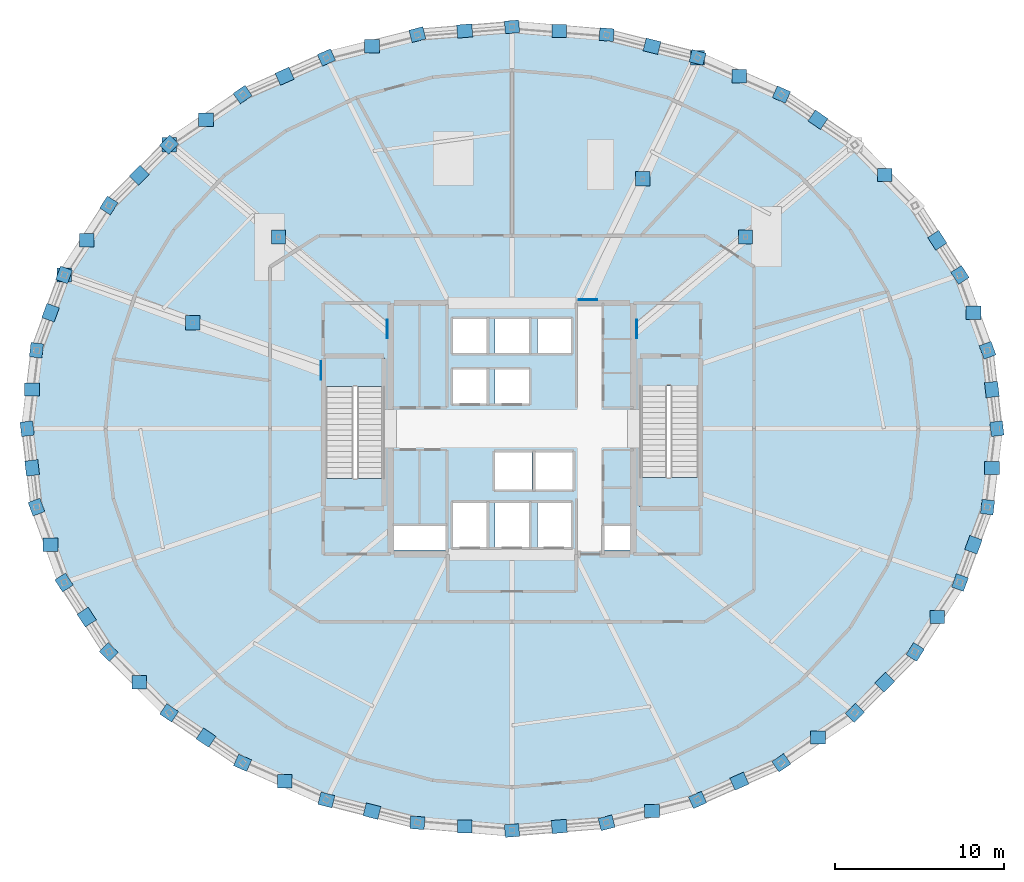
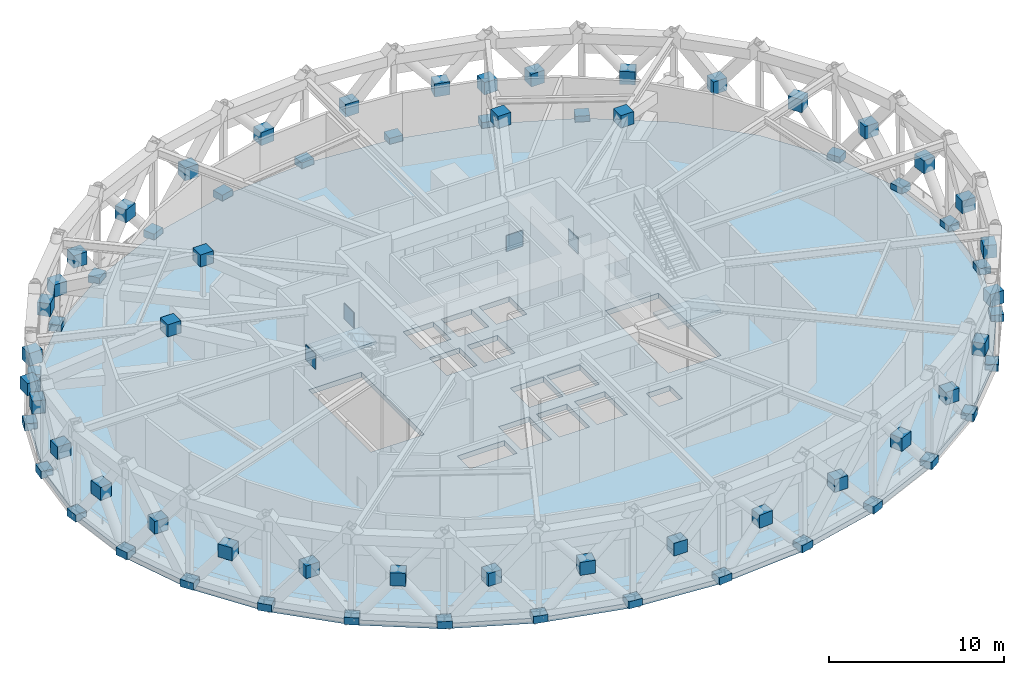
# One storey, part 7 of 15: 73 plates, 3 slabs, 2 elements without a shape of their own.
"""IFC4 building model written with IfcOpenShell, lengths in metres."""

from ifc_helpers import new_model, si_unit, direction, frame, origin, origin_2d, place, context, subcontext, project, spatial, polyline, rectangle, outline, extrude, material, layer, layer_set, type_object, element, aggregate, save


model = new_model("IFC4")

# Units and contexts
model_context = context("Model", 3, precision=1e-05, world=origin(), true_north=direction((0.0, 1.0)))
body_context = subcontext(model_context, "Body", "Model", "MODEL_VIEW")
ifc_project = project(units=[si_unit("LENGTHUNIT", "METRE"), si_unit("AREAUNIT", "SQUARE_METRE"), si_unit("VOLUMEUNIT", "CUBIC_METRE"), si_unit("PLANEANGLEUNIT", "RADIAN"), si_unit("MASSUNIT", "GRAM", prefix="KILO")], contexts=[model_context])

# Site, building, storey
site_placement = place(None, origin())
site = spatial("IfcSite", under=ifc_project, at=site_placement, CompositionType="ELEMENT")
building_placement = place(site_placement, origin())
building = spatial("IfcBuilding", under=site, at=building_placement, Name="Veldorina Hangang Commons", CompositionType="ELEMENT")
storey_placement = place(building_placement, frame((0.0, 0.0, 110.800048828125)))
storey = spatial("IfcBuildingStorey", under=building, at=storey_placement, Name="L28", CompositionType="ELEMENT", Elevation=110.800048828125)

# Plates
ifc_material_1 = material(Name="Steel SM490-TMC", Category="steel")
ifc_layer_1 = layer(ifc_material_1, 0.044921875)
ifc_layer_set_1 = layer_set([ifc_layer_1], Name="Steel SM490-TMC")
plate_type_1 = type_object("IfcPlateType", Name="PL-NODE-45", PredefinedType="SHEET", material=ifc_layer_set_1)
plate_1_placement = place(storey_placement, frame((39.389892578125, 29.89990234375, 2.2998046875), z_axis=(0.0, 0.0, 1.0), x_axis=(1.0, 0.0, 0.0)))
element("IfcPlate", 1, at=plate_1_placement, inside=storey, type_object=plate_type_1, Name="L28 outrigger cast-in wall embed plate 01", PredefinedType="SHEET", context=body_context, shape_type="SweptSolid", body=[
    extrude(rectangle(XDim=0.044921875, YDim=1.10009765625, at=origin_2d()), origin(), (0.0, 0.0, 1.0), 1.10009765625),
])
plate_2_placement = place(storey_placement, frame((45.841796875, 35.367919921875, 5.574951171875), z_axis=(0.0, 0.0, 1.0), x_axis=(1.0, 0.0, 0.0)))
element("IfcPlate", 2, at=plate_2_placement, inside=storey, type_object=plate_type_1, Name="L28 outrigger node plate 01-MD", PredefinedType="SHEET", context=body_context, shape_type="SweptSolid", body=[
    extrude(rectangle(XDim=0.85009765625, YDim=0.85009765625, at=origin_2d()), origin(), (0.0, 0.0, 1.0), 0.85009765625),
])
plate_3_placement = place(storey_placement, frame((36.5, 31.639892578125, 2.2998046875), z_axis=(0.0, 0.0, 1.0), x_axis=(1.0, 0.0, 0.0)))
element("IfcPlate", 3, at=plate_3_placement, inside=storey, type_object=plate_type_1, Name="L28 outrigger cast-in wall embed plate 02", PredefinedType="SHEET", context=body_context, shape_type="SweptSolid", body=[
    extrude(rectangle(XDim=1.10009765625, YDim=0.044921875, at=origin_2d()), origin(), (0.0, 0.0, 1.0), 1.10009765625),
])
for number, where, z_axis, x_axis, name in (
    (4, (39.746826171875, 38.80859375, 5.574951171875), (0.0, 0.0, 1.0), (1.0, 0.0, 0.0), "L28 outrigger node plate 02-MD"),
    (5, (42.99365234375, 45.997314453125, 2.4248046875), (0.0, 0.0, 1.0), (1.0, 0.0, 0.0), "L28 outrigger node plate 02-OT"),
):
    element("IfcPlate", number, at=place(storey_placement, frame(where, z_axis=z_axis, x_axis=x_axis)), inside=storey, type_object=plate_type_1, Name=name, PredefinedType="SHEET", context=body_context, shape_type="SweptSolid", body=[
        extrude(rectangle(XDim=0.85009765625, YDim=0.85009765625, at=origin_2d()), origin(), (0.0, 0.0, 1.0), 0.85009765625),
    ])
plate_4_placement = place(storey_placement, frame((24.610107421875, 29.89990234375, 2.2998046875), z_axis=(0.0, 0.0, 1.0), x_axis=(1.0, 0.0, 0.0)))
element("IfcPlate", 6, at=plate_4_placement, inside=storey, type_object=plate_type_1, Name="L28 outrigger cast-in wall embed plate 03", PredefinedType="SHEET", context=body_context, shape_type="SweptSolid", body=[
    extrude(rectangle(XDim=0.044921875, YDim=1.10009765625, at=origin_2d()), origin(), (0.0, 0.0, 1.0), 1.10009765625),
])
for number, where, z_axis, x_axis, name in (
    (7, (18.158203125, 35.367919921875, 5.574951171875), (0.0, 0.0, 1.0), (1.0, 0.0, 0.0), "L28 outrigger node plate 03-MD"),
    (8, (11.686279296875, 40.8359375, 2.4248046875), (0.0, 0.0, 1.0), (1.0, 0.0, 0.0), "L28 outrigger node plate 03-OT"),
):
    element("IfcPlate", number, at=place(storey_placement, frame(where, z_axis=z_axis, x_axis=x_axis)), inside=storey, type_object=plate_type_1, Name=name, PredefinedType="SHEET", context=body_context, shape_type="SweptSolid", body=[
        extrude(rectangle(XDim=0.85009765625, YDim=0.85009765625, at=origin_2d()), origin(), (0.0, 0.0, 1.0), 0.85009765625),
    ])
plate_5_placement = place(storey_placement, frame((20.669921875, 27.449951171875, 2.2998046875), z_axis=(0.0, 0.0, 1.0), x_axis=(1.0, 0.0, 0.0)))
element("IfcPlate", 9, at=plate_5_placement, inside=storey, type_object=plate_type_1, Name="L28 outrigger cast-in wall embed plate 04", PredefinedType="SHEET", context=body_context, shape_type="SweptSolid", body=[
    extrude(rectangle(XDim=0.044921875, YDim=1.10009765625, at=origin_2d()), origin(), (0.0, 0.0, 1.0), 1.10009765625),
])
for number, where, z_axis, x_axis, name in (
    (10, (13.074462890625, 30.28076171875, 5.574951171875), (0.0, 0.0, 1.0), (1.0, 0.0, 0.0), "L28 outrigger node plate 04-MD"),
    (11, (5.458740234375, 33.111572265625, 2.4248046875), (0.0, 0.0, 1.0), (1.0, 0.0, 0.0), "L28 outrigger node plate 04-OT"),
):
    element("IfcPlate", number, at=place(storey_placement, frame(where, z_axis=z_axis, x_axis=x_axis)), inside=storey, type_object=plate_type_1, Name=name, PredefinedType="SHEET", context=body_context, shape_type="SweptSolid", body=[
        extrude(rectangle(XDim=0.85009765625, YDim=0.85009765625, at=origin_2d()), origin(), (0.0, 0.0, 1.0), 0.85009765625),
    ])
ifc_material_2 = material(Name="Steel SM460-TMC", Category="steel")
ifc_layer_2 = layer(ifc_material_2, 0.035888671875)
ifc_layer_set_2 = layer_set([ifc_layer_2], Name="Steel SM460-TMC")
plate_type_2 = type_object("IfcPlateType", Name="PL-STAR-36", PredefinedType="USERDEFINED", material=ifc_layer_set_2)
plate_6_placement = place(storey_placement, frame((60.7451171875, 24.0, -0.090087890625), z_axis=(0.0, 0.0, 1.0), x_axis=(-0.118005356875, 0.9930129585, 0.0)))
element("IfcPlate", 12, at=plate_6_placement, inside=storey, type_object=plate_type_2, Name="L28 diagrid star-node gusset plate 00", ObjectType="GUSSET PLATE", PredefinedType="USERDEFINED", context=body_context, shape_type="SweptSolid", body=[
    extrude(rectangle(XDim=0.85009765625, YDim=0.75, at=origin_2d()), origin(), (0.0, 0.0, 1.0), 0.5),
])
plate_7_placement = place(storey_placement, frame((60.449951171875, 26.322509765625, 2.751708984375), z_axis=(0.0, 0.0, 1.0), x_axis=(-0.118005356875, 0.9930129585, 0.0)))
element("IfcPlate", 13, at=plate_7_placement, inside=storey, type_object=plate_type_2, Name="L28 diagrid X-crossing star-node gusset plate 00", ObjectType="GUSSET PLATE", PredefinedType="USERDEFINED", context=body_context, shape_type="SweptSolid", body=[
    extrude(rectangle(XDim=0.89990234375, YDim=0.780029296875, at=origin_2d()), origin(), (0.0, 0.0, 1.0), 0.89990234375),
])
for number, where, z_axis, x_axis, name in (
    (14, (60.19287109375, 28.6474609375, -0.090087890625), (0.0, 0.0, 1.0), (-0.343758034421, 0.939058258987, 0.0), "L28 diagrid star-node gusset plate 01"),
    (15, (58.55712890625, 33.1162109375, -0.090087890625), (0.0, 0.0, 1.0), (-0.542016257641, 0.840368000612, 0.0), "L28 diagrid star-node gusset plate 02"),
):
    element("IfcPlate", number, at=place(storey_placement, frame(where, z_axis=z_axis, x_axis=x_axis)), inside=storey, type_object=plate_type_2, Name=name, ObjectType="GUSSET PLATE", PredefinedType="USERDEFINED", context=body_context, shape_type="SweptSolid", body=[
        extrude(rectangle(XDim=0.85009765625, YDim=0.75, at=origin_2d()), origin(), (0.0, 0.0, 1.0), 0.5),
    ])
for number, where, z_axis, x_axis, name in (
    (16, (57.2119140625, 35.169189453125, 2.751953125), (0.0, 0.0, 1.0), (-0.542016257641, 0.840368000612, 0.0), "L28 diagrid X-crossing star-node gusset plate 02"),
    (17, (50.1357421875, 42.3154296875, 2.751953125), (0.0, 0.0, 1.0), (-0.826884319778, 0.562372049186, 0.0), "L28 diagrid X-crossing star-node gusset plate 04"),
):
    element("IfcPlate", number, at=place(storey_placement, frame(where, z_axis=z_axis, x_axis=x_axis)), inside=storey, type_object=plate_type_2, Name=name, ObjectType="GUSSET PLATE", PredefinedType="USERDEFINED", context=body_context, shape_type="SweptSolid", body=[
        extrude(rectangle(XDim=0.89990234375, YDim=0.780029296875, at=origin_2d()), origin(), (0.0, 0.0, 1.0), 0.89990234375),
    ])
for number, where, z_axis, x_axis, name in (
    (18, (47.969970703125, 43.806884765625, -0.090087890625), (0.0, 0.0, 1.0), (-0.914310514759, 0.405013928897, 0.0), "L28 diagrid star-node gusset plate 05"),
    (19, (43.000244140625, 46.00830078125, -0.090087890625), (0.0, 0.0, 1.0), (-0.969825226686, 0.243801209355, 0.0), "L28 diagrid star-node gusset plate 06"),
):
    element("IfcPlate", number, at=place(storey_placement, frame(where, z_axis=z_axis, x_axis=x_axis)), inside=storey, type_object=plate_type_2, Name=name, ObjectType="GUSSET PLATE", PredefinedType="USERDEFINED", context=body_context, shape_type="SweptSolid", body=[
        extrude(rectangle(XDim=0.85009765625, YDim=0.75, at=origin_2d()), origin(), (0.0, 0.0, 1.0), 0.5),
    ])
plate_8_placement = place(storey_placement, frame((40.298583984375, 46.67333984375, 2.752197265625), z_axis=(0.0, 0.0, 1.0), x_axis=(-0.969825226686, 0.243801209355, 0.0)))
element("IfcPlate", 20, at=plate_8_placement, inside=storey, type_object=plate_type_2, Name="L28 diagrid X-crossing star-node gusset plate 06", ObjectType="GUSSET PLATE", PredefinedType="USERDEFINED", context=body_context, shape_type="SweptSolid", body=[
    extrude(rectangle(XDim=0.89990234375, YDim=0.780029296875, at=origin_2d()), origin(), (0.0, 0.0, 1.0), 0.89990234375),
])
for number, where, z_axis, x_axis, name in (
    (21, (37.60791015625, 47.364013671875, -0.090087890625), (0.0, 0.0, 1.0), (-0.996685834628, 0.081347077707, 0.0), "L28 diagrid star-node gusset plate 07"),
    (22, (32.0, 47.821533203125, -0.090087890625), (0.0, 0.0, 1.0), (-0.996685834628, -0.081347077707, 0.0), "L28 diagrid star-node gusset plate 08"),
):
    element("IfcPlate", number, at=place(storey_placement, frame(where, z_axis=z_axis, x_axis=x_axis)), inside=storey, type_object=plate_type_2, Name=name, ObjectType="GUSSET PLATE", PredefinedType="USERDEFINED", context=body_context, shape_type="SweptSolid", body=[
        extrude(rectangle(XDim=0.85009765625, YDim=0.75, at=origin_2d()), origin(), (0.0, 0.0, 1.0), 0.5),
    ])
plate_9_placement = place(storey_placement, frame((29.197998046875, 47.579345703125, 2.752197265625), z_axis=(0.0, 0.0, 1.0), x_axis=(-0.996685834628, -0.081347077707, 0.0)))
element("IfcPlate", 23, at=plate_9_placement, inside=storey, type_object=plate_type_2, Name="L28 diagrid X-crossing star-node gusset plate 08", ObjectType="GUSSET PLATE", PredefinedType="USERDEFINED", context=body_context, shape_type="SweptSolid", body=[
    extrude(rectangle(XDim=0.89990234375, YDim=0.780029296875, at=origin_2d()), origin(), (0.0, 0.0, 1.0), 0.89990234375),
])
for number, where, z_axis, x_axis, name in (
    (24, (26.39208984375, 47.364013671875, -0.090087890625), (0.0, 0.0, 1.0), (-0.969825226686, -0.243801209355, 0.0), "L28 diagrid star-node gusset plate 09"),
    (25, (20.999755859375, 46.00830078125, -0.090087890625), (0.0, 0.0, 1.0), (-0.914310514759, -0.405013928897, 0.0), "L28 diagrid star-node gusset plate 10"),
):
    element("IfcPlate", number, at=place(storey_placement, frame(where, z_axis=z_axis, x_axis=x_axis)), inside=storey, type_object=plate_type_2, Name=name, ObjectType="GUSSET PLATE", PredefinedType="USERDEFINED", context=body_context, shape_type="SweptSolid", body=[
        extrude(rectangle(XDim=0.85009765625, YDim=0.75, at=origin_2d()), origin(), (0.0, 0.0, 1.0), 0.5),
    ])
plate_10_placement = place(storey_placement, frame((18.52392578125, 44.895751953125, 2.752197265625), z_axis=(0.0, 0.0, 1.0), x_axis=(-0.914310514759, -0.405013928897, 0.0)))
element("IfcPlate", 26, at=plate_10_placement, inside=storey, type_object=plate_type_2, Name="L28 diagrid X-crossing star-node gusset plate 10", ObjectType="GUSSET PLATE", PredefinedType="USERDEFINED", context=body_context, shape_type="SweptSolid", body=[
    extrude(rectangle(XDim=0.89990234375, YDim=0.780029296875, at=origin_2d()), origin(), (0.0, 0.0, 1.0), 0.89990234375),
])
for number, where, z_axis, x_axis, name in (
    (27, (16.030029296875, 43.806884765625, -0.090087890625), (0.0, 0.0, 1.0), (-0.826884319778, -0.562372049186, 0.0), "L28 diagrid star-node gusset plate 11"),
    (28, (11.674072265625, 40.844482421875, -0.090087890625), (0.0, 0.0, 1.0), (-0.703667578356, -0.710529337304, 0.0), "L28 diagrid star-node gusset plate 12"),
):
    element("IfcPlate", number, at=place(storey_placement, frame(where, z_axis=z_axis, x_axis=x_axis)), inside=storey, type_object=plate_type_2, Name=name, ObjectType="GUSSET PLATE", PredefinedType="USERDEFINED", context=body_context, shape_type="SweptSolid", body=[
        extrude(rectangle(XDim=0.85009765625, YDim=0.75, at=origin_2d()), origin(), (0.0, 0.0, 1.0), 0.5),
    ])
plate_11_placement = place(storey_placement, frame((9.901611328125, 39.031005859375, 2.751953125), z_axis=(0.0, 0.0, 1.0), x_axis=(-0.703667578356, -0.710529337304, 0.0)))
element("IfcPlate", 29, at=plate_11_placement, inside=storey, type_object=plate_type_2, Name="L28 diagrid X-crossing star-node gusset plate 12", ObjectType="GUSSET PLATE", PredefinedType="USERDEFINED", context=body_context, shape_type="SweptSolid", body=[
    extrude(rectangle(XDim=0.89990234375, YDim=0.780029296875, at=origin_2d()), origin(), (0.0, 0.0, 1.0), 0.89990234375),
])
for number, where, z_axis, x_axis, name in (
    (30, (8.09912109375, 37.234619140625, -0.090087890625), (0.0, 0.0, 1.0), (-0.542016257641, -0.840368000612, 0.0), "L28 diagrid star-node gusset plate 13"),
    (31, (5.44287109375, 33.1162109375, -0.090087890625), (0.0, 0.0, 1.0), (-0.343758034421, -0.939058258987, 0.0), "L28 diagrid star-node gusset plate 14"),
):
    element("IfcPlate", number, at=place(storey_placement, frame(where, z_axis=z_axis, x_axis=x_axis)), inside=storey, type_object=plate_type_2, Name=name, ObjectType="GUSSET PLATE", PredefinedType="USERDEFINED", context=body_context, shape_type="SweptSolid", body=[
        extrude(rectangle(XDim=0.85009765625, YDim=0.75, at=origin_2d()), origin(), (0.0, 0.0, 1.0), 0.5),
    ])
plate_12_placement = place(storey_placement, frame((4.6435546875, 30.877685546875, 2.751708984375), z_axis=(0.0, 0.0, 1.0), x_axis=(-0.343758034421, -0.939058258987, 0.0)))
element("IfcPlate", 32, at=plate_12_placement, inside=storey, type_object=plate_type_2, Name="L28 diagrid X-crossing star-node gusset plate 14", ObjectType="GUSSET PLATE", PredefinedType="USERDEFINED", context=body_context, shape_type="SweptSolid", body=[
    extrude(rectangle(XDim=0.89990234375, YDim=0.780029296875, at=origin_2d()), origin(), (0.0, 0.0, 1.0), 0.89990234375),
])
for number, where, z_axis, x_axis, name in (
    (33, (3.80712890625, 28.6474609375, -0.090087890625), (0.0, 0.0, 1.0), (-0.118005356875, -0.9930129585, 0.0), "L28 diagrid star-node gusset plate 15"),
    (34, (3.2548828125, 24.0, -0.090087890625), (0.0, 0.0, 1.0), (0.118005356875, -0.9930129585, 0.0), "L28 diagrid star-node gusset plate 16"),
):
    element("IfcPlate", number, at=place(storey_placement, frame(where, z_axis=z_axis, x_axis=x_axis)), inside=storey, type_object=plate_type_2, Name=name, ObjectType="GUSSET PLATE", PredefinedType="USERDEFINED", context=body_context, shape_type="SweptSolid", body=[
        extrude(rectangle(XDim=0.85009765625, YDim=0.75, at=origin_2d()), origin(), (0.0, 0.0, 1.0), 0.5),
    ])
plate_13_placement = place(storey_placement, frame((3.550048828125, 21.677490234375, 2.751708984375), z_axis=(0.0, 0.0, 1.0), x_axis=(0.118005356875, -0.9930129585, 0.0)))
element("IfcPlate", 35, at=plate_13_placement, inside=storey, type_object=plate_type_2, Name="L28 diagrid X-crossing star-node gusset plate 16", ObjectType="GUSSET PLATE", PredefinedType="USERDEFINED", context=body_context, shape_type="SweptSolid", body=[
    extrude(rectangle(XDim=0.89990234375, YDim=0.780029296875, at=origin_2d()), origin(), (0.0, 0.0, 1.0), 0.89990234375),
])
for number, where, z_axis, x_axis, name in (
    (36, (3.80712890625, 19.3525390625, -0.090087890625), (0.0, 0.0, 1.0), (0.343758034421, -0.939058258987, 0.0), "L28 diagrid star-node gusset plate 17"),
    (37, (5.44287109375, 14.8837890625, -0.090087890625), (0.0, 0.0, 1.0), (0.542016257641, -0.840368000612, 0.0), "L28 diagrid star-node gusset plate 18"),
):
    element("IfcPlate", number, at=place(storey_placement, frame(where, z_axis=z_axis, x_axis=x_axis)), inside=storey, type_object=plate_type_2, Name=name, ObjectType="GUSSET PLATE", PredefinedType="USERDEFINED", context=body_context, shape_type="SweptSolid", body=[
        extrude(rectangle(XDim=0.85009765625, YDim=0.75, at=origin_2d()), origin(), (0.0, 0.0, 1.0), 0.5),
    ])
plate_14_placement = place(storey_placement, frame((6.7880859375, 12.830810546875, 2.751953125), z_axis=(0.0, 0.0, 1.0), x_axis=(0.542016257641, -0.840368000612, 0.0)))
element("IfcPlate", 38, at=plate_14_placement, inside=storey, type_object=plate_type_2, Name="L28 diagrid X-crossing star-node gusset plate 18", ObjectType="GUSSET PLATE", PredefinedType="USERDEFINED", context=body_context, shape_type="SweptSolid", body=[
    extrude(rectangle(XDim=0.89990234375, YDim=0.780029296875, at=origin_2d()), origin(), (0.0, 0.0, 1.0), 0.89990234375),
])
for number, where, z_axis, x_axis, name in (
    (39, (8.09912109375, 10.765380859375, -0.090087890625), (0.0, 0.0, 1.0), (0.703667578356, -0.710529337304, 0.0), "L28 diagrid star-node gusset plate 19"),
    (40, (11.674072265625, 7.155517578125, -0.090087890625), (0.0, 0.0, 1.0), (0.826884319778, -0.562372049186, 0.0), "L28 diagrid star-node gusset plate 20"),
):
    element("IfcPlate", number, at=place(storey_placement, frame(where, z_axis=z_axis, x_axis=x_axis)), inside=storey, type_object=plate_type_2, Name=name, ObjectType="GUSSET PLATE", PredefinedType="USERDEFINED", context=body_context, shape_type="SweptSolid", body=[
        extrude(rectangle(XDim=0.85009765625, YDim=0.75, at=origin_2d()), origin(), (0.0, 0.0, 1.0), 0.5),
    ])
plate_15_placement = place(storey_placement, frame((13.8642578125, 5.6845703125, 2.751953125), z_axis=(0.0, 0.0, 1.0), x_axis=(0.826884319778, -0.562372049186, 0.0)))
element("IfcPlate", 41, at=plate_15_placement, inside=storey, type_object=plate_type_2, Name="L28 diagrid X-crossing star-node gusset plate 20", ObjectType="GUSSET PLATE", PredefinedType="USERDEFINED", context=body_context, shape_type="SweptSolid", body=[
    extrude(rectangle(XDim=0.89990234375, YDim=0.780029296875, at=origin_2d()), origin(), (0.0, 0.0, 1.0), 0.89990234375),
])
for number, where, z_axis, x_axis, name in (
    (42, (16.030029296875, 4.193115234375, -0.090087890625), (0.0, 0.0, 1.0), (0.914310514759, -0.405013928897, 0.0), "L28 diagrid star-node gusset plate 21"),
    (43, (20.999755859375, 1.99169921875, -0.090087890625), (0.0, 0.0, 1.0), (0.969825226686, -0.243801209355, 0.0), "L28 diagrid star-node gusset plate 22"),
):
    element("IfcPlate", number, at=place(storey_placement, frame(where, z_axis=z_axis, x_axis=x_axis)), inside=storey, type_object=plate_type_2, Name=name, ObjectType="GUSSET PLATE", PredefinedType="USERDEFINED", context=body_context, shape_type="SweptSolid", body=[
        extrude(rectangle(XDim=0.85009765625, YDim=0.75, at=origin_2d()), origin(), (0.0, 0.0, 1.0), 0.5),
    ])
plate_16_placement = place(storey_placement, frame((23.701416015625, 1.32666015625, 2.752197265625), z_axis=(0.0, 0.0, 1.0), x_axis=(0.969825226686, -0.243801209355, 0.0)))
element("IfcPlate", 44, at=plate_16_placement, inside=storey, type_object=plate_type_2, Name="L28 diagrid X-crossing star-node gusset plate 22", ObjectType="GUSSET PLATE", PredefinedType="USERDEFINED", context=body_context, shape_type="SweptSolid", body=[
    extrude(rectangle(XDim=0.89990234375, YDim=0.780029296875, at=origin_2d()), origin(), (0.0, 0.0, 1.0), 0.89990234375),
])
for number, where, z_axis, x_axis, name in (
    (45, (26.39208984375, 0.635986328125, -0.090087890625), (0.0, 0.0, 1.0), (0.996685834628, -0.081347077707, 0.0), "L28 diagrid star-node gusset plate 23"),
    (46, (32.0, 0.178466796875, -0.090087890625), (0.0, 0.0, 1.0), (0.996685834628, 0.081347077707, 0.0), "L28 diagrid star-node gusset plate 24"),
):
    element("IfcPlate", number, at=place(storey_placement, frame(where, z_axis=z_axis, x_axis=x_axis)), inside=storey, type_object=plate_type_2, Name=name, ObjectType="GUSSET PLATE", PredefinedType="USERDEFINED", context=body_context, shape_type="SweptSolid", body=[
        extrude(rectangle(XDim=0.85009765625, YDim=0.75, at=origin_2d()), origin(), (0.0, 0.0, 1.0), 0.5),
    ])
plate_17_placement = place(storey_placement, frame((34.802001953125, 0.420654296875, 2.752197265625), z_axis=(0.0, 0.0, 1.0), x_axis=(0.996685834628, 0.081347077707, 0.0)))
element("IfcPlate", 47, at=plate_17_placement, inside=storey, type_object=plate_type_2, Name="L28 diagrid X-crossing star-node gusset plate 24", ObjectType="GUSSET PLATE", PredefinedType="USERDEFINED", context=body_context, shape_type="SweptSolid", body=[
    extrude(rectangle(XDim=0.89990234375, YDim=0.780029296875, at=origin_2d()), origin(), (0.0, 0.0, 1.0), 0.89990234375),
])
for number, where, z_axis, x_axis, name in (
    (48, (37.60791015625, 0.635986328125, -0.090087890625), (0.0, 0.0, 1.0), (0.969825226686, 0.243801209355, 0.0), "L28 diagrid star-node gusset plate 25"),
    (49, (43.000244140625, 1.99169921875, -0.090087890625), (0.0, 0.0, 1.0), (0.914310514759, 0.405013928897, 0.0), "L28 diagrid star-node gusset plate 26"),
):
    element("IfcPlate", number, at=place(storey_placement, frame(where, z_axis=z_axis, x_axis=x_axis)), inside=storey, type_object=plate_type_2, Name=name, ObjectType="GUSSET PLATE", PredefinedType="USERDEFINED", context=body_context, shape_type="SweptSolid", body=[
        extrude(rectangle(XDim=0.85009765625, YDim=0.75, at=origin_2d()), origin(), (0.0, 0.0, 1.0), 0.5),
    ])
plate_18_placement = place(storey_placement, frame((45.47607421875, 3.104248046875, 2.752197265625), z_axis=(0.0, 0.0, 1.0), x_axis=(0.914310514759, 0.405013928897, 0.0)))
element("IfcPlate", 50, at=plate_18_placement, inside=storey, type_object=plate_type_2, Name="L28 diagrid X-crossing star-node gusset plate 26", ObjectType="GUSSET PLATE", PredefinedType="USERDEFINED", context=body_context, shape_type="SweptSolid", body=[
    extrude(rectangle(XDim=0.89990234375, YDim=0.780029296875, at=origin_2d()), origin(), (0.0, 0.0, 1.0), 0.89990234375),
])
for number, where, z_axis, x_axis, name in (
    (51, (47.969970703125, 4.193115234375, -0.090087890625), (0.0, 0.0, 1.0), (0.826884319778, 0.562372049186, 0.0), "L28 diagrid star-node gusset plate 27"),
    (52, (52.325927734375, 7.155517578125, -0.090087890625), (0.0, 0.0, 1.0), (0.703667578356, 0.710529337304, 0.0), "L28 diagrid star-node gusset plate 28"),
):
    element("IfcPlate", number, at=place(storey_placement, frame(where, z_axis=z_axis, x_axis=x_axis)), inside=storey, type_object=plate_type_2, Name=name, ObjectType="GUSSET PLATE", PredefinedType="USERDEFINED", context=body_context, shape_type="SweptSolid", body=[
        extrude(rectangle(XDim=0.85009765625, YDim=0.75, at=origin_2d()), origin(), (0.0, 0.0, 1.0), 0.5),
    ])
plate_19_placement = place(storey_placement, frame((54.098388671875, 8.968994140625, 2.751953125), z_axis=(0.0, 0.0, 1.0), x_axis=(0.703667578356, 0.710529337304, 0.0)))
element("IfcPlate", 53, at=plate_19_placement, inside=storey, type_object=plate_type_2, Name="L28 diagrid X-crossing star-node gusset plate 28", ObjectType="GUSSET PLATE", PredefinedType="USERDEFINED", context=body_context, shape_type="SweptSolid", body=[
    extrude(rectangle(XDim=0.89990234375, YDim=0.780029296875, at=origin_2d()), origin(), (0.0, 0.0, 1.0), 0.89990234375),
])
for number, where, z_axis, x_axis, name in (
    (54, (55.90087890625, 10.765380859375, -0.090087890625), (0.0, 0.0, 1.0), (0.542016257641, 0.840368000612, 0.0), "L28 diagrid star-node gusset plate 29"),
    (55, (58.55712890625, 14.8837890625, -0.090087890625), (0.0, 0.0, 1.0), (0.343758034421, 0.939058258987, 0.0), "L28 diagrid star-node gusset plate 30"),
):
    element("IfcPlate", number, at=place(storey_placement, frame(where, z_axis=z_axis, x_axis=x_axis)), inside=storey, type_object=plate_type_2, Name=name, ObjectType="GUSSET PLATE", PredefinedType="USERDEFINED", context=body_context, shape_type="SweptSolid", body=[
        extrude(rectangle(XDim=0.85009765625, YDim=0.75, at=origin_2d()), origin(), (0.0, 0.0, 1.0), 0.5),
    ])
plate_20_placement = place(storey_placement, frame((59.3564453125, 17.122314453125, 2.751708984375), z_axis=(0.0, 0.0, 1.0), x_axis=(0.343758034421, 0.939058258987, 0.0)))
element("IfcPlate", 56, at=plate_20_placement, inside=storey, type_object=plate_type_2, Name="L28 diagrid X-crossing star-node gusset plate 30", ObjectType="GUSSET PLATE", PredefinedType="USERDEFINED", context=body_context, shape_type="SweptSolid", body=[
    extrude(rectangle(XDim=0.89990234375, YDim=0.780029296875, at=origin_2d()), origin(), (0.0, 0.0, 1.0), 0.89990234375),
])
plate_21_placement = place(storey_placement, frame((60.19287109375, 19.3525390625, -0.090087890625), z_axis=(0.0, 0.0, 1.0), x_axis=(0.118005356875, 0.9930129585, 0.0)))
element("IfcPlate", 57, at=plate_21_placement, inside=storey, type_object=plate_type_2, Name="L28 diagrid star-node gusset plate 31", ObjectType="GUSSET PLATE", PredefinedType="USERDEFINED", context=body_context, shape_type="SweptSolid", body=[
    extrude(rectangle(XDim=0.85009765625, YDim=0.75, at=origin_2d()), origin(), (0.0, 0.0, 1.0), 0.5),
])
for number, where, z_axis, x_axis, name in (
    (58, (59.356689453125, 30.8779296875, 2.76171875), (0.0, 0.0, 1.0), (1.0, 0.0, 0.0), "L28 belt truss X-crossing gusset 01"),
    (59, (54.0986328125, 39.031005859375, 2.761962890625), (0.0, 0.0, 1.0), (1.0, 0.0, 0.0), "L28 belt truss X-crossing gusset 03"),
    (60, (45.47607421875, 44.895751953125, 2.76220703125), (0.0, 0.0, 1.0), (1.0, 0.0, 0.0), "L28 belt truss X-crossing gusset 05"),
    (61, (34.802001953125, 47.579345703125, 2.76220703125), (0.0, 0.0, 1.0), (1.0, 0.0, 0.0), "L28 belt truss X-crossing gusset 07"),
    (62, (23.701416015625, 46.673095703125, 2.76220703125), (0.0, 0.0, 1.0), (1.0, 0.0, 0.0), "L28 belt truss X-crossing gusset 09"),
    (63, (13.8642578125, 42.315185546875, 2.761962890625), (0.0, 0.0, 1.0), (1.0, 0.0, 0.0), "L28 belt truss X-crossing gusset 11"),
    (64, (6.7880859375, 35.1689453125, 2.761962890625), (0.0, 0.0, 1.0), (1.0, 0.0, 0.0), "L28 belt truss X-crossing gusset 13"),
    (65, (3.55029296875, 26.322509765625, 2.76171875), (0.0, 0.0, 1.0), (1.0, 0.0, 0.0), "L28 belt truss X-crossing gusset 15"),
    (66, (4.643310546875, 17.1220703125, 2.76171875), (0.0, 0.0, 1.0), (1.0, 0.0, 0.0), "L28 belt truss X-crossing gusset 17"),
    (67, (9.9013671875, 8.968994140625, 2.761962890625), (0.0, 0.0, 1.0), (1.0, 0.0, 0.0), "L28 belt truss X-crossing gusset 19"),
    (68, (18.52392578125, 3.104248046875, 2.76220703125), (0.0, 0.0, 1.0), (1.0, 0.0, 0.0), "L28 belt truss X-crossing gusset 21"),
    (69, (29.197998046875, 0.420654296875, 2.76220703125), (0.0, 0.0, 1.0), (1.0, 0.0, 0.0), "L28 belt truss X-crossing gusset 23"),
    (70, (40.298583984375, 1.326904296875, 2.76220703125), (0.0, 0.0, 1.0), (1.0, 0.0, 0.0), "L28 belt truss X-crossing gusset 25"),
    (71, (50.1357421875, 5.684814453125, 2.761962890625), (0.0, 0.0, 1.0), (1.0, 0.0, 0.0), "L28 belt truss X-crossing gusset 27"),
    (72, (57.2119140625, 12.8310546875, 2.761962890625), (0.0, 0.0, 1.0), (1.0, 0.0, 0.0), "L28 belt truss X-crossing gusset 29"),
    (73, (60.44970703125, 21.677490234375, 2.76171875), (0.0, 0.0, 1.0), (1.0, 0.0, 0.0), "L28 belt truss X-crossing gusset 31"),
):
    element("IfcPlate", number, at=place(storey_placement, frame(where, z_axis=z_axis, x_axis=x_axis)), inside=storey, type_object=plate_type_2, Name=name, ObjectType="GUSSET PLATE", PredefinedType="USERDEFINED", context=body_context, shape_type="SweptSolid", body=[
        extrude(rectangle(XDim=0.8798828125, YDim=0.780029296875, at=origin_2d()), origin(), (0.0, 0.0, 1.0), 0.8798828125),
    ])

# Slab
ifc_material_3 = material(Name="Concrete C50/60", Category="concrete")
ifc_layer_3 = layer(ifc_material_3, 0.360107421875)
ifc_layer_set_3 = layer_set([ifc_layer_3], Name="Concrete C50/60")
slab_type_1 = type_object("IfcSlabType", Name="SL-FLR-360", PredefinedType="FLOOR", material=ifc_layer_set_3)
slab_1_placement = place(storey_placement, frame((0.0, 0.0, -0.360107421875)))
element("IfcSlab", 74, at=slab_1_placement, inside=storey, type_object=slab_type_1, Name="L28 tower structural floor slab", PredefinedType="FLOOR", context=body_context, shape_type="SweptSolid", body=[
    extrude(outline(polyline([(60.7451171875, 24.0), (60.19287109375, 28.6474609375), (58.55712890625, 33.1162109375), (55.90087890625, 37.234619140625), (52.325927734375, 40.844482421875), (47.969970703125, 43.806884765625), (43.000244140625, 46.00830078125), (37.60791015625, 47.364013671875), (32.0, 47.821533203125), (26.39208984375, 47.364013671875), (20.999755859375, 46.00830078125), (16.030029296875, 43.806884765625), (11.674072265625, 40.844482421875), (8.09912109375, 37.234619140625), (5.44287109375, 33.1162109375), (3.80712890625, 28.6474609375), (3.2548828125, 24.0), (3.80712890625, 19.3525390625), (5.44287109375, 14.8837890625), (8.09912109375, 10.765380859375), (11.674072265625, 7.155517578125), (16.030029296875, 4.193115234375), (20.999755859375, 1.99169921875), (26.39208984375, 0.635986328125), (32.0, 0.178466796875), (37.60791015625, 0.635986328125), (43.000244140625, 1.99169921875), (47.969970703125, 4.193115234375), (52.325927734375, 7.155517578125), (55.90087890625, 10.765380859375), (58.55712890625, 14.8837890625), (60.19287109375, 19.3525390625), (60.7451171875, 24.0)]), holes=[polyline([(20.949951171875, 21.05810546875), (20.949951171875, 28.199951171875), (24.449951171875, 28.199951171875), (24.449951171875, 21.05810546875), (20.949951171875, 21.05810546875)]), polyline([(43.050048828125, 26.5419921875), (43.050048828125, 19.39990234375), (39.550048828125, 19.39990234375), (39.550048828125, 26.5419921875), (43.050048828125, 26.5419921875)]), polyline([(28.5, 30.5), (30.5, 30.5), (30.5, 28.5), (28.5, 28.5), (28.5, 30.5)]), polyline([(31.0, 30.5), (33.0, 30.5), (33.0, 28.5), (31.0, 28.5), (31.0, 30.5)]), polyline([(33.5, 30.5), (35.5, 30.5), (35.5, 28.5), (33.5, 28.5), (33.5, 30.5)]), polyline([(28.5, 27.5), (30.5, 27.5), (30.5, 25.5), (28.5, 25.5), (28.5, 27.5)]), polyline([(31.0, 27.5), (33.0, 27.5), (33.0, 25.5), (31.0, 25.5), (31.0, 27.5)]), polyline([(31.0, 22.60009765625), (33.199951171875, 22.60009765625), (33.199951171875, 20.39990234375), (31.0, 20.39990234375), (31.0, 22.60009765625)]), polyline([(33.39990234375, 22.60009765625), (35.60009765625, 22.60009765625), (35.60009765625, 20.39990234375), (33.39990234375, 20.39990234375), (33.39990234375, 22.60009765625)]), polyline([(28.5, 19.60009765625), (30.5, 19.60009765625), (30.5, 17.0), (28.5, 17.0), (28.5, 19.60009765625)]), polyline([(31.0, 19.60009765625), (33.0, 19.60009765625), (33.0, 17.0), (31.0, 17.0), (31.0, 19.60009765625)]), polyline([(33.5, 19.60009765625), (35.5, 19.60009765625), (35.5, 17.0), (33.5, 17.0), (33.5, 19.60009765625)]), polyline([(25.0, 18.25), (28.10009765625, 18.25), (28.10009765625, 16.800048828125), (25.0, 16.800048828125), (25.0, 18.25)]), polyline([(37.449951171875, 18.25), (39.0, 18.25), (39.0, 16.800048828125), (37.449951171875, 16.800048828125), (37.449951171875, 18.25)])]), origin(), (0.0, 0.0, 1.0), 0.360107421875),
])

# Stair, slab
ifc_material_4 = material(Name="Concrete C40/50", Category="concrete")
stair_type = type_object("IfcStairType", Name="STR-DOG-1650-36R", PredefinedType="HALF_TURN_STAIR", material=ifc_material_4)
stair_1_placement = place(storey_placement, origin())
stair_1 = element("IfcStair", 75, at=stair_1_placement, inside=storey, type_object=stair_type, Name="L28 Exit stair ST-1", PredefinedType="HALF_TURN_STAIR")
ifc_layer_4 = layer(ifc_material_4, 0.199951171875)
ifc_layer_set_4 = layer_set([ifc_layer_4], Name="Concrete C40/50")
slab_type_2 = type_object("IfcSlabType", Name="SL-LND-200", PredefinedType="LANDING", material=ifc_layer_set_4)
slab_2_placement = place(storey_placement, frame((0.0, 0.0, 3.0)))
slab_2 = element("IfcSlab", 76, at=slab_2_placement, type_object=slab_type_2, Name="ST-1 landing 1", PredefinedType="LANDING", context=body_context, shape_type="SweptSolid", body=[
    extrude(outline(polyline([(24.449951171875, 26.489990234375), (24.449951171875, 28.199951171875), (20.949951171875, 28.199951171875), (20.949951171875, 26.489990234375), (24.449951171875, 26.489990234375)])), origin(), (0.0, 0.0, 1.0), 0.199951171875),
])
aggregate(stair_1, [slab_2])

stair_2_placement = place(storey_placement, origin())
stair_2 = element("IfcStair", 77, at=stair_2_placement, inside=storey, type_object=stair_type, Name="L28 Exit stair ST-2", PredefinedType="HALF_TURN_STAIR")
slab_3_placement = place(storey_placement, frame((0.0, 0.0, 3.0)))
slab_3 = element("IfcSlab", 78, at=slab_3_placement, type_object=slab_type_2, Name="ST-2 landing 1", PredefinedType="LANDING", context=body_context, shape_type="SweptSolid", body=[
    extrude(outline(polyline([(39.550048828125, 21.110107421875), (39.550048828125, 19.39990234375), (43.050048828125, 19.39990234375), (43.050048828125, 21.110107421875), (39.550048828125, 21.110107421875)])), origin(), (0.0, 0.0, 1.0), 0.199951171875),
])
aggregate(stair_2, [slab_3])

save(model, "model.ifc")
